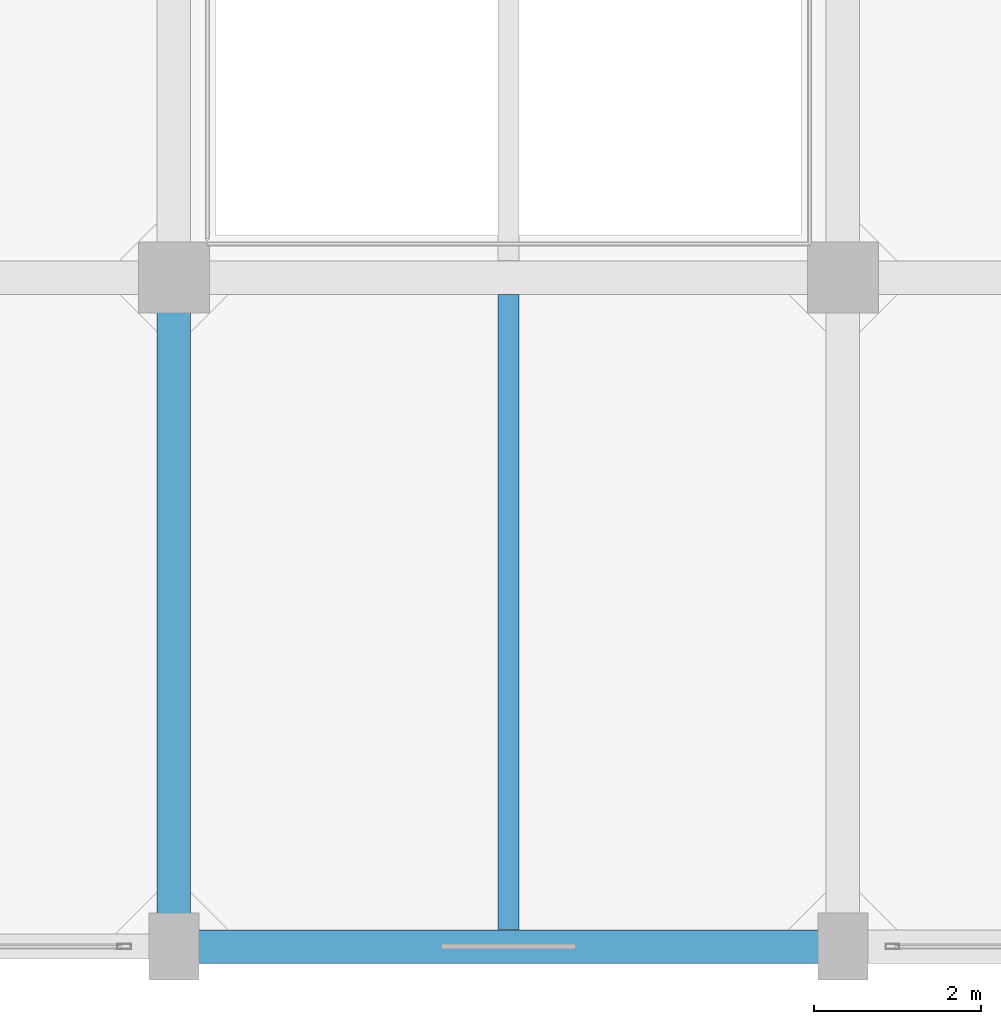
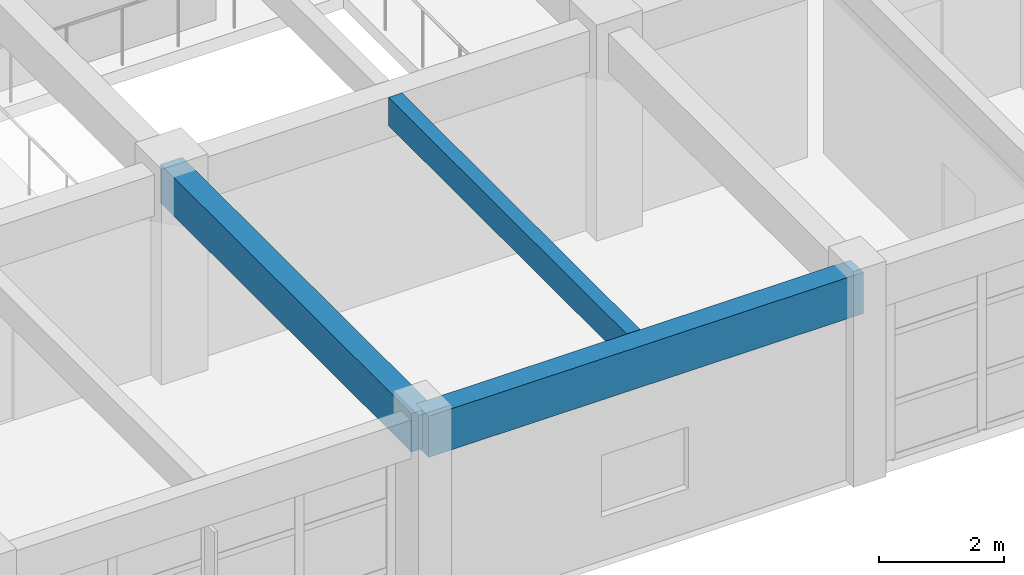
# One storey, part 3 of 30: 3 beams.
"""IFC4 building model written with IfcOpenShell, lengths in metres."""

from ifc_helpers import new_model, si_unit, direction, frame, origin, origin_2d, place, context, subcontext, project, spatial, rectangle, extrude, material, material_profile, profile_set, type_object, element, save


model = new_model("IFC4")

# Units and contexts
model_context = context("Model", 3, precision=1e-05, world=origin(), true_north=direction((0.0, 1.0)))
body_context = subcontext(model_context, "Body", "Model", "MODEL_VIEW")
ifc_project = project(units=[si_unit("LENGTHUNIT", "METRE"), si_unit("AREAUNIT", "SQUARE_METRE"), si_unit("VOLUMEUNIT", "CUBIC_METRE"), si_unit("PLANEANGLEUNIT", "RADIAN"), si_unit("MASSUNIT", "GRAM", prefix="KILO")], contexts=[model_context])

# Site, building, storey
site_placement = place(None, origin())
site = spatial("IfcSite", under=ifc_project, at=site_placement, CompositionType="ELEMENT")
building_placement = place(site_placement, origin())
building = spatial("IfcBuilding", under=site, at=building_placement, Name="Canggui Botanical Conservatory", CompositionType="ELEMENT")
storey_placement = place(building_placement, frame((0.0, 0.0, 19.199951171875)))
storey = spatial("IfcBuildingStorey", under=building, at=storey_placement, Name="L05", CompositionType="ELEMENT", Elevation=19.199951171875)

# Beams
ifc_material = material(Name="Concrete C35", Category="concrete")
ifc_material_profile_1 = material_profile(ifc_material, rectangle(XDim=0.25, YDim=0.550048828125, at=origin_2d()), Name="RB 250x550")
ifc_profile_set_1 = profile_set([ifc_material_profile_1], Name="Concrete C35")
beam_type_1 = type_object("IfcBeamType", Name="BM-JST03", PredefinedType="JOIST", material=ifc_profile_set_1)
beam_1_placement = place(storey_placement, frame((150.0, 26.205078125, 3.68505859375), z_axis=(0.0, 1.0, 0.0), x_axis=(-1.0, 0.0, 0.0)))
element("IfcBeam", 1, at=beam_1_placement, inside=storey, type_object=beam_type_1, Name="Secondary Floor Joist L05-2-1", PredefinedType="JOIST", context=body_context, shape_type="SweptSolid", body=[
    extrude(rectangle(XDim=0.25, YDim=0.550048828125, at=origin_2d()), origin(), (0.0, 0.0, 1.0), 7.58984375),
])
ifc_material_profile_2 = material_profile(ifc_material, rectangle(XDim=0.39990234375, YDim=0.800048828125, at=origin_2d()), Name="RB 400x800")
ifc_profile_set_2 = profile_set([ifc_material_profile_2], Name="Concrete C35")
beam_type_2 = type_object("IfcBeamType", Name="BM-KL09", PredefinedType="BEAM", material=ifc_profile_set_2)
beam_2_placement = place(storey_placement, frame((146.0, 26.0, 3.56005859375), z_axis=(1.0, 0.0, 0.0), x_axis=(0.0, 1.0, 0.0)))
element("IfcBeam", 2, at=beam_2_placement, inside=storey, type_object=beam_type_2, Name="Frame Girder L05 Y26-2", PredefinedType="BEAM", context=body_context, shape_type="SweptSolid", body=[
    extrude(rectangle(XDim=0.39990234375, YDim=0.800048828125, at=origin_2d()), origin(), (0.0, 0.0, 1.0), 8.0),
])
ifc_material_profile_3 = material_profile(ifc_material, rectangle(XDim=0.39990234375, YDim=0.75, at=origin_2d()), Name="RB 400x750")
ifc_profile_set_3 = profile_set([ifc_material_profile_3], Name="Concrete C35")
beam_type_3 = type_object("IfcBeamType", Name="BM-KL10", PredefinedType="BEAM", material=ifc_profile_set_3)
beam_3_placement = place(storey_placement, frame((146.0, 26.0, 3.5849609375), z_axis=(0.0, 1.0, 0.0), x_axis=(-1.0, 0.0, 0.0)))
element("IfcBeam", 3, at=beam_3_placement, inside=storey, type_object=beam_type_3, Name="Frame Girder L05 X146-1", PredefinedType="BEAM", context=body_context, shape_type="SweptSolid", body=[
    extrude(rectangle(XDim=0.39990234375, YDim=0.75, at=origin_2d()), origin(), (0.0, 0.0, 1.0), 8.0),
])

save(model, "model.ifc")
